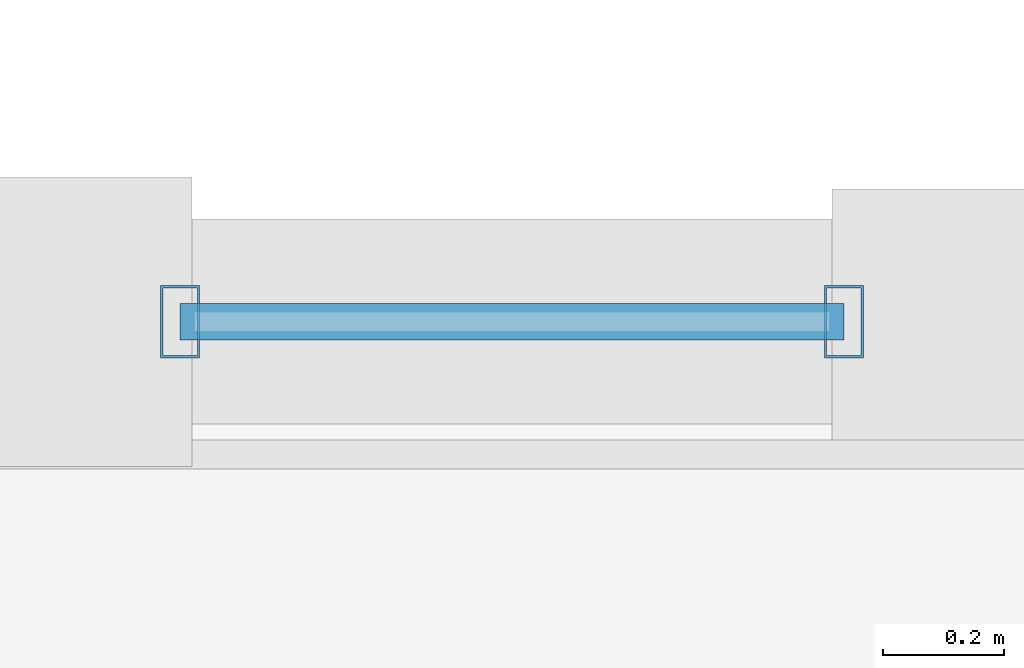
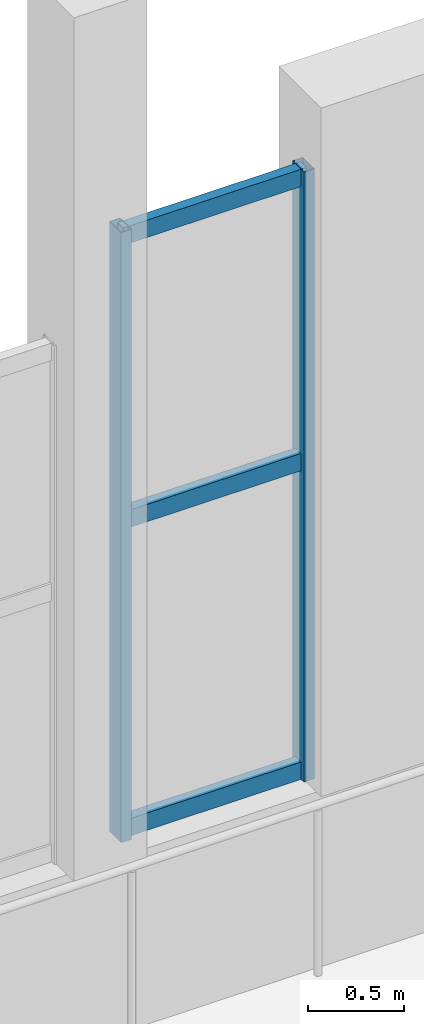
# One storey, part 17 of 46: 5 members, 1 element without a shape of its own.
"""IFC4 building model written with IfcOpenShell, lengths in metres."""

from ifc_helpers import new_model, si_unit, direction, frame, origin, origin_2d, place, context, subcontext, project, spatial, hollow_rectangle, extrude, material, material_profile, profile_set, type_object, element, aggregate, save


model = new_model("IFC4")

# Units and contexts
model_context = context("Model", 3, precision=1e-05, world=origin(), true_north=direction((0.0, 1.0)))
body_context = subcontext(model_context, "Body", "Model", "MODEL_VIEW")
ifc_project = project(units=[si_unit("LENGTHUNIT", "METRE"), si_unit("AREAUNIT", "SQUARE_METRE"), si_unit("VOLUMEUNIT", "CUBIC_METRE"), si_unit("PLANEANGLEUNIT", "RADIAN"), si_unit("MASSUNIT", "GRAM", prefix="KILO")], contexts=[model_context])

# Site, building, storey
site_placement = place(None, origin())
site = spatial("IfcSite", under=ifc_project, at=site_placement, CompositionType="ELEMENT")
building_placement = place(site_placement, origin())
building = spatial("IfcBuilding", under=site, at=building_placement, Name="Mavantir Sound Aquarium", CompositionType="ELEMENT")
storey_placement = place(building_placement, frame((0.0, 0.0, 15.300048828125)))
storey = spatial("IfcBuildingStorey", under=building, at=storey_placement, Name="L03", CompositionType="ELEMENT", Elevation=15.300048828125)

# Curtain wall, members
ifc_material_1 = material(Name="Anodised Marine Aluminium and Low-E Glass", Category="aluminium")
curtain_wall_type = type_object("IfcCurtainWallType", Name="CW-T21", PredefinedType="USERDEFINED", material=ifc_material_1)
curtain_wall_placement = place(storey_placement, origin())
curtain_wall = element("IfcCurtainWall", 1, at=curtain_wall_placement, inside=storey, type_object=curtain_wall_type, Name="L03 unitised curtain wall CW-21 164", ObjectType="UNITISED GLAZING", PredefinedType="USERDEFINED")
ifc_material_2 = material(Name="Anodised Marine Aluminium 6063-T6", Category="aluminium")
ifc_material_profile_1 = material_profile(ifc_material_2, hollow_rectangle(XDim=0.06494140625, YDim=0.1201171875, WallThickness=0.00390625, at=origin_2d()), Name="ALU-MULLION-120X65")
ifc_profile_set_1 = profile_set([ifc_material_profile_1], Name="Anodised Marine Aluminium 6063-T6")
member_type_1 = type_object("IfcMemberType", Name="CW-MUL-120", PredefinedType="MULLION", material=ifc_profile_set_1)
member_1_placement = place(storey_placement, frame((143.89990234375, 75.800048828125, 1.119873046875), z_axis=(0.0, 0.0, 1.0), x_axis=(1.0, 0.0, 0.0)))
member_1 = element("IfcMember", 2, at=member_1_placement, type_object=member_type_1, Name="CW-DIOC-4N-R vertical mullion 1", PredefinedType="MULLION", context=body_context, shape_type="SweptSolid", body=[
    extrude(hollow_rectangle(XDim=0.06494140625, YDim=0.1201171875, WallThickness=0.00390625, at=origin_2d()), origin(), (0.0, 0.0, 1.0), 3.880126953125),
])
member_2_placement = place(storey_placement, frame((145.0, 75.800048828125, 1.119873046875), z_axis=(0.0, 0.0, 1.0), x_axis=(1.0, 0.0, 0.0)))
member_2 = element("IfcMember", 3, at=member_2_placement, type_object=member_type_1, Name="CW-DIOC-4N-R vertical mullion 2", PredefinedType="MULLION", context=body_context, shape_type="SweptSolid", body=[
    extrude(hollow_rectangle(XDim=0.06494140625, YDim=0.1201171875, WallThickness=0.00390625, at=origin_2d()), origin(), (0.0, 0.0, 1.0), 3.880126953125),
])
ifc_material_profile_2 = material_profile(ifc_material_2, hollow_rectangle(XDim=0.06005859375, YDim=0.110107421875, WallThickness=0.00390625, at=origin_2d()), Name="ALU-TRANSOM-110X60")
ifc_profile_set_2 = profile_set([ifc_material_profile_2], Name="Anodised Marine Aluminium 6063-T6")
member_type_2 = type_object("IfcMemberType", Name="CW-TRN-110", PredefinedType="USERDEFINED", material=ifc_profile_set_2)
member_3_placement = place(storey_placement, frame((143.89990234375, 75.800048828125, 1.175048828125), z_axis=(1.0, 0.0, 0.0), x_axis=(0.0, 1.0, 0.0)))
member_3 = element("IfcMember", 4, at=member_3_placement, type_object=member_type_2, Name="CW-DIOC-4N-R transom 1.1", ObjectType="TRANSOM", PredefinedType="USERDEFINED", context=body_context, shape_type="SweptSolid", body=[
    extrude(hollow_rectangle(XDim=0.06005859375, YDim=0.110107421875, WallThickness=0.00390625, at=origin_2d()), origin(), (0.0, 0.0, 1.0), 1.10009765625),
])
member_4_placement = place(storey_placement, frame((143.89990234375, 75.800048828125, 3.137451171875), z_axis=(1.0, 0.0, 0.0), x_axis=(0.0, 1.0, 0.0)))
member_4 = element("IfcMember", 5, at=member_4_placement, type_object=member_type_2, Name="CW-DIOC-4N-R transom 1.2", ObjectType="TRANSOM", PredefinedType="USERDEFINED", context=body_context, shape_type="SweptSolid", body=[
    extrude(hollow_rectangle(XDim=0.06005859375, YDim=0.110107421875, WallThickness=0.00390625, at=origin_2d()), origin(), (0.0, 0.0, 1.0), 1.10009765625),
])
member_5_placement = place(storey_placement, frame((143.89990234375, 75.800048828125, 4.945068359375), z_axis=(1.0, 0.0, 0.0), x_axis=(0.0, 1.0, 0.0)))
member_5 = element("IfcMember", 6, at=member_5_placement, type_object=member_type_2, Name="CW-DIOC-4N-R transom 1.3", ObjectType="TRANSOM", PredefinedType="USERDEFINED", context=body_context, shape_type="SweptSolid", body=[
    extrude(hollow_rectangle(XDim=0.06005859375, YDim=0.110107421875, WallThickness=0.00390625, at=origin_2d()), origin(), (0.0, 0.0, 1.0), 1.10009765625),
])
aggregate(curtain_wall, [member_1, member_2, member_3, member_4, member_5])

save(model, "model.ifc")
